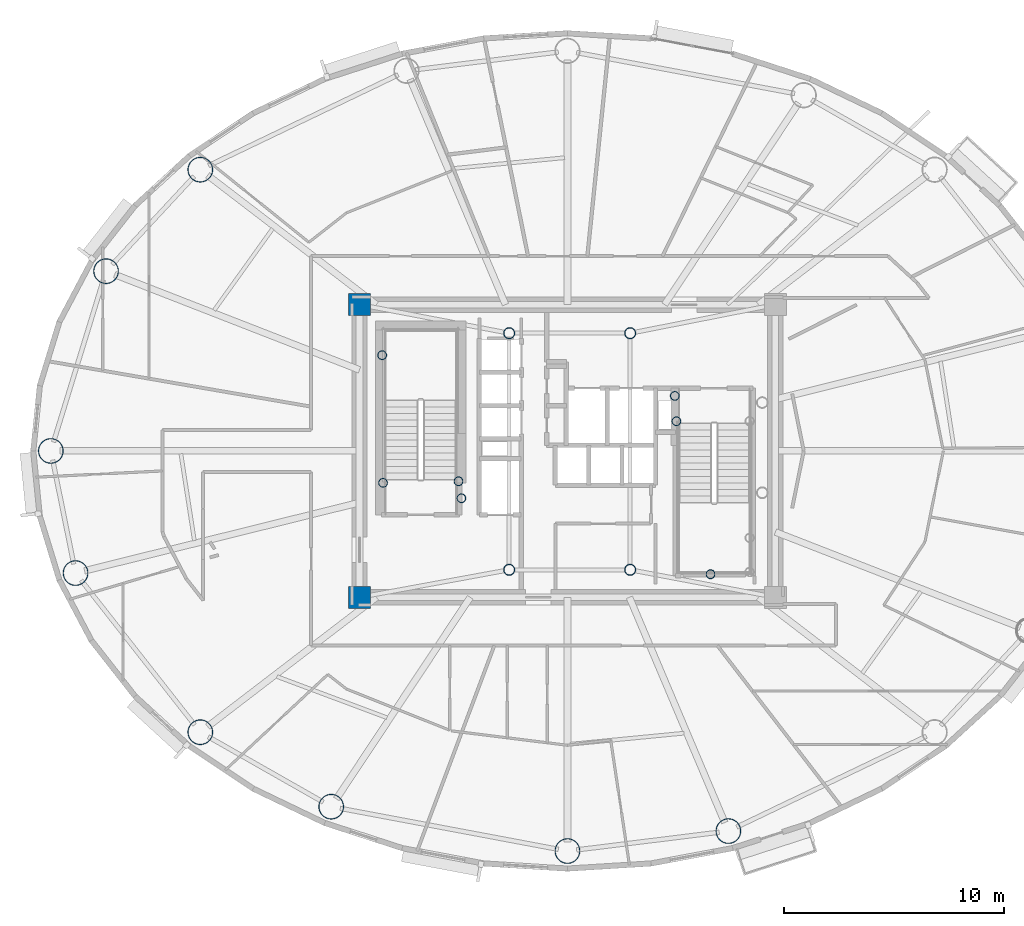
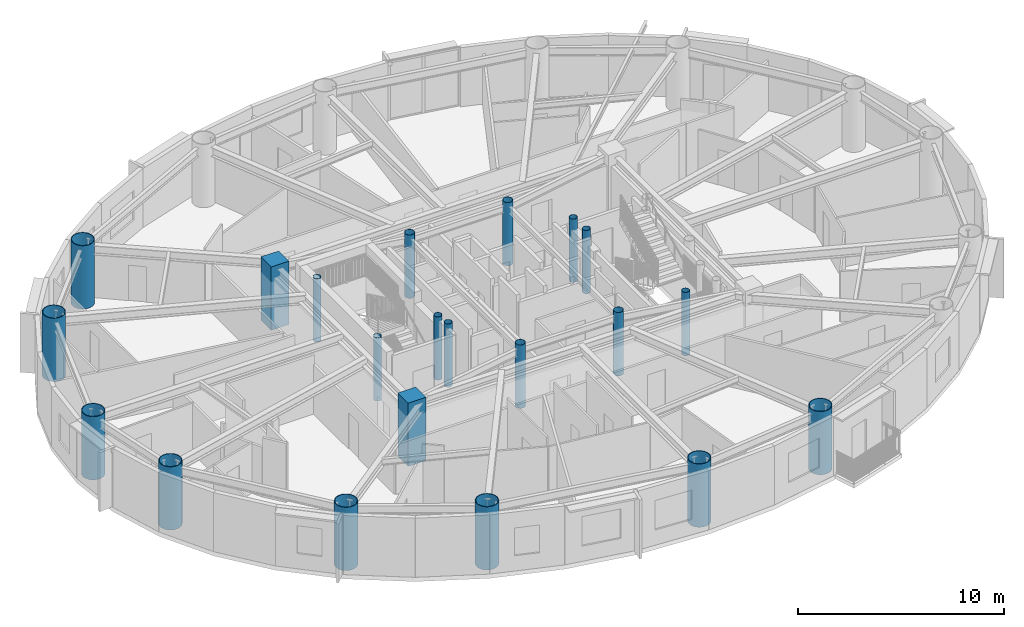
# One storey, part 1 of 18: 21 columns.
"""IFC4 building model written with IfcOpenShell, lengths in metres."""

from ifc_helpers import new_model, si_unit, direction, frame, origin, origin_2d, place, context, subcontext, project, spatial, rectangle, hollow_circle, extrude, material, material_profile, profile_set, type_object, element, save


model = new_model("IFC4")

# Units and contexts
model_context = context("Model", 3, precision=1e-05, world=origin(), true_north=direction((0.0, 1.0)))
body_context = subcontext(model_context, "Body", "Model", "MODEL_VIEW")
ifc_project = project(units=[si_unit("LENGTHUNIT", "METRE"), si_unit("AREAUNIT", "SQUARE_METRE"), si_unit("VOLUMEUNIT", "CUBIC_METRE"), si_unit("PLANEANGLEUNIT", "RADIAN"), si_unit("MASSUNIT", "GRAM", prefix="KILO")], contexts=[model_context])

# Site, building, storey
site_placement = place(None, origin())
site = spatial("IfcSite", under=ifc_project, at=site_placement, CompositionType="ELEMENT")
building_placement = place(site_placement, origin())
building = spatial("IfcBuilding", under=site, at=building_placement, Name="Linh Dai School and Residence Tower", CompositionType="ELEMENT")
storey_placement = place(building_placement, frame((0.0, 0.0, 225.300048828125)))
storey = spatial("IfcBuildingStorey", under=building, at=storey_placement, Name="L55", CompositionType="ELEMENT", Elevation=225.300048828125)

# Columns
ifc_material_1 = material(Name="Concrete B45 (C35/45)", Category="concrete")
ifc_material_profile_1 = material_profile(ifc_material_1, rectangle(XDim=1.0, YDim=1.0, at=origin_2d()), Name="RC 1000x1000")
ifc_profile_set_1 = profile_set([ifc_material_profile_1], Name="Concrete B45 (C35/45)")
column_type_1 = type_object("IfcColumnType", Name="COL-CC3", PredefinedType="COLUMN", material=ifc_profile_set_1)
for number, where, z_axis, x_axis, name in (
    (1, (26.550048828125, 20.35009765625, 0.0), (0.0, 0.0, 1.0), (1.0, 0.0, 0.0), "L55 Core Corner Pier CC1"),
    (2, (26.550048828125, 33.64990234375, 0.0), (0.0, 0.0, 1.0), (1.0, 0.0, 0.0), "L55 Core Corner Pier CC4"),
):
    element("IfcColumn", number, at=place(storey_placement, frame(where, z_axis=z_axis, x_axis=x_axis)), inside=storey, type_object=column_type_1, Name=name, PredefinedType="COLUMN", context=body_context, shape_type="SweptSolid", body=[
        extrude(rectangle(XDim=1.0, YDim=1.0, at=origin_2d()), origin(), (0.0, 0.0, 1.0), 3.75),
    ])
ifc_material_2 = material(Name="Structural Steel S355JR", Category="steel")
ifc_material_profile_2 = material_profile(ifc_material_2, hollow_circle(Radius=0.203125, WallThickness=0.01611328125, at=origin_2d()), Name="CHS 406.4x16")
ifc_profile_set_2 = profile_set([ifc_material_profile_2], Name="Structural Steel S355JR")
column_type_2 = type_object("IfcColumnType", Name="COL-EC", PredefinedType="COLUMN", material=ifc_profile_set_2)
for number, where, z_axis, x_axis, name in (
    (3, (27.580078125, 31.35009765625, 0.0), (0.0, 0.0, 1.0), (1.0, 0.0, 0.0), "L55 Stair Shaft Landing Support Pier ST1NW"),
    (4, (31.050048828125, 25.6201171875, 0.0), (0.0, 0.0, 1.0), (1.0, 0.0, 0.0), "L55 Stair Shaft Landing Support Pier ST1SE"),
    (5, (31.179931640625, 24.85009765625, 0.0), (0.0, 0.0, 1.0), (1.0, 0.0, 0.0), "L55 Stair Shaft Landing Support Pier ST1SM"),
    (6, (27.6201171875, 25.550048828125, 0.0), (0.0, 0.0, 1.0), (1.0, 0.0, 0.0), "L55 Stair Shaft Landing Support Pier ST1SW"),
    (7, (42.5, 21.39990234375, 0.0), (0.0, 0.0, 1.0), (1.0, 0.0, 0.0), "L55 Stair Shaft Landing Support Pier ST2MS"),
    (8, (40.949951171875, 28.35009765625, 0.0), (0.0, 0.0, 1.0), (1.0, 0.0, 0.0), "L55 Stair Shaft Landing Support Pier ST2N1"),
    (9, (40.8798828125, 29.5, 0.0), (0.0, 0.0, 1.0), (1.0, 0.0, 0.0), "L55 Stair Shaft Landing Support Pier ST2N3"),
):
    element("IfcColumn", number, at=place(storey_placement, frame(where, z_axis=z_axis, x_axis=x_axis)), inside=storey, type_object=column_type_2, Name=name, PredefinedType="COLUMN", context=body_context, shape_type="SweptSolid", body=[
        extrude(hollow_circle(Radius=0.203125, WallThickness=0.01611328125, at=origin_2d()), origin(), (0.0, 0.0, 1.0), 3.75),
    ])
ifc_material_profile_3 = material_profile(ifc_material_2, hollow_circle(Radius=0.574951171875, WallThickness=0.035888671875, at=origin_2d()), Name="CHS 1150x36")
ifc_profile_set_3 = profile_set([ifc_material_profile_3], Name="Structural Steel S355JR")
column_type_3 = type_object("IfcColumnType", Name="COL-MC5", PredefinedType="COLUMN", material=ifc_profile_set_3)
for number, where, z_axis, x_axis, name in (
    (10, (19.31689453125, 39.781005859375, 0.0), (0.0, 0.0, 1.0), (1.0, 0.0, 0.0), "L55 Perimeter CFT Mega-Column MC07"),
    (11, (15.03466796875, 35.1689453125, 0.0), (0.0, 0.0, 1.0), (1.0, 0.0, 0.0), "L55 Perimeter CFT Mega-Column MC08"),
    (12, (12.52490234375, 27.0, 0.0), (0.0, 0.0, 1.0), (1.0, 0.0, 0.0), "L55 Perimeter CFT Mega-Column MC09"),
    (13, (13.648681640625, 21.45068359375, 0.0), (0.0, 0.0, 1.0), (1.0, 0.0, 0.0), "L55 Perimeter CFT Mega-Column MC10"),
    (14, (19.31689453125, 14.218994140625, 0.0), (0.0, 0.0, 1.0), (1.0, 0.0, 0.0), "L55 Perimeter CFT Mega-Column MC11"),
    (15, (25.265380859375, 10.83642578125, 0.0), (0.0, 0.0, 1.0), (1.0, 0.0, 0.0), "L55 Perimeter CFT Mega-Column MC12"),
    (16, (36.0, 8.820068359375, 0.0), (0.0, 0.0, 1.0), (1.0, 0.0, 0.0), "L55 Perimeter CFT Mega-Column MC13"),
    (17, (43.31201171875, 9.7265625, 0.0), (0.0, 0.0, 1.0), (1.0, 0.0, 0.0), "L55 Perimeter CFT Mega-Column MC14"),
):
    element("IfcColumn", number, at=place(storey_placement, frame(where, z_axis=z_axis, x_axis=x_axis)), inside=storey, type_object=column_type_3, Name=name, PredefinedType="COLUMN", context=body_context, shape_type="SweptSolid", body=[
        extrude(hollow_circle(Radius=0.574951171875, WallThickness=0.035888671875, at=origin_2d()), origin(), (0.0, 0.0, 1.0), 3.75),
    ])
ifc_material_profile_4 = material_profile(ifc_material_2, hollow_circle(Radius=0.25390625, WallThickness=0.02001953125, at=origin_2d()), Name="CHS 508x20")
ifc_profile_set_4 = profile_set([ifc_material_profile_4], Name="Structural Steel S355JR")
column_type_4 = type_object("IfcColumnType", Name="COL-MCP", PredefinedType="COLUMN", material=ifc_profile_set_4)
for number, where, z_axis, x_axis, name in (
    (18, (33.35009765625, 21.60009765625, 0.0), (0.0, 0.0, 1.0), (1.0, 0.0, 0.0), "L55 Core Mast Support Pier MCP1"),
    (19, (38.85009765625, 21.60009765625, 0.0), (0.0, 0.0, 1.0), (1.0, 0.0, 0.0), "L55 Core Mast Support Pier MCP2"),
    (20, (38.85009765625, 32.35009765625, 0.0), (0.0, 0.0, 1.0), (1.0, 0.0, 0.0), "L55 Core Mast Support Pier MCP3"),
    (21, (33.35009765625, 32.35009765625, 0.0), (0.0, 0.0, 1.0), (1.0, 0.0, 0.0), "L55 Core Mast Support Pier MCP4"),
):
    element("IfcColumn", number, at=place(storey_placement, frame(where, z_axis=z_axis, x_axis=x_axis)), inside=storey, type_object=column_type_4, Name=name, PredefinedType="COLUMN", context=body_context, shape_type="SweptSolid", body=[
        extrude(hollow_circle(Radius=0.25390625, WallThickness=0.02001953125, at=origin_2d()), origin(), (0.0, 0.0, 1.0), 3.75),
    ])

save(model, "model.ifc")
